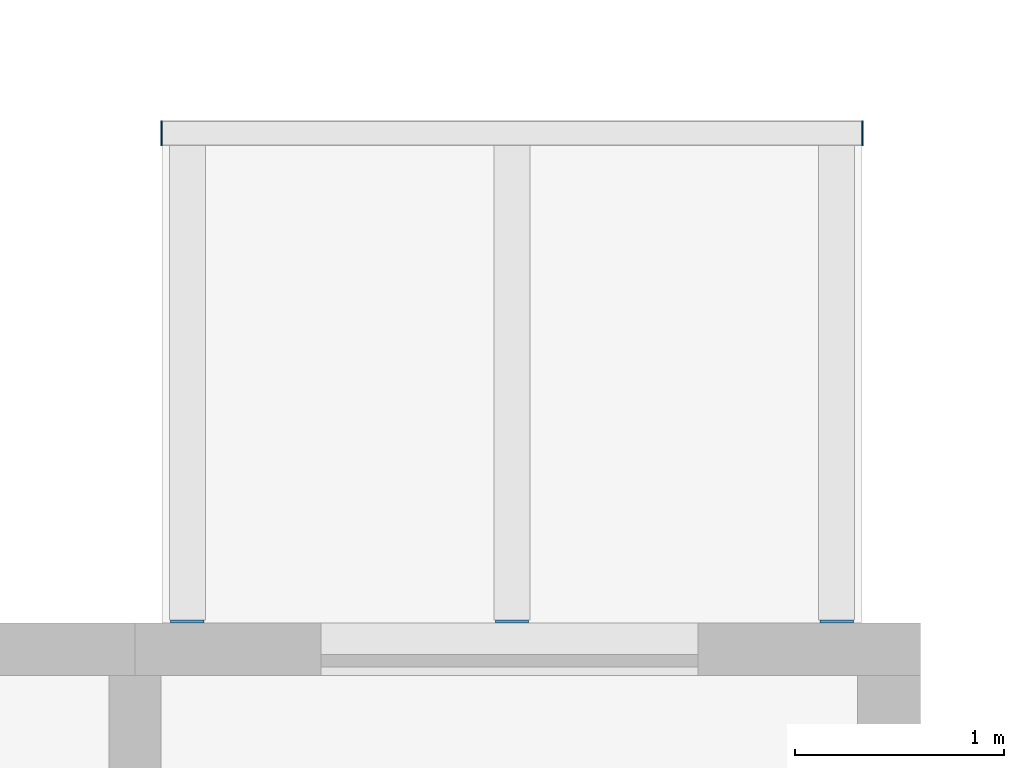
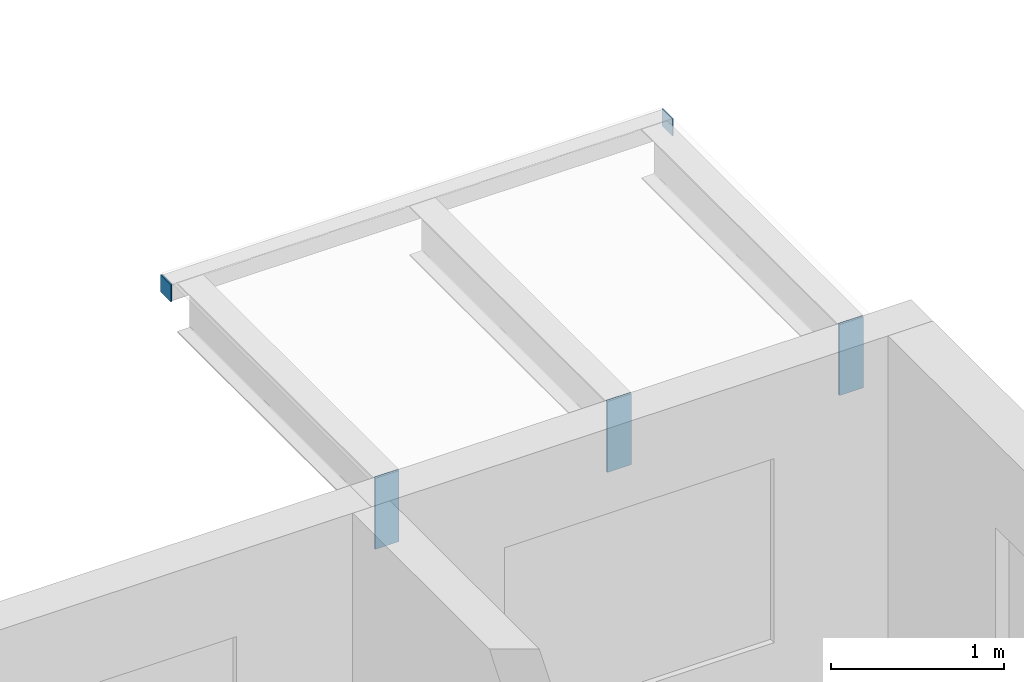
# One storey, part 87 of 115: 5 discrete accessories.
"""IFC4 building model written with IfcOpenShell, lengths in metres."""

from ifc_helpers import new_model, si_unit, direction, frame, origin, origin_2d, place, context, subcontext, project, spatial, rectangle, extrude, material, layer, layer_set, type_object, element, save


model = new_model("IFC4")

# Units and contexts
model_context = context("Model", 3, precision=1e-05, world=origin(), true_north=direction((0.0, 1.0)))
body_context = subcontext(model_context, "Body", "Model", "MODEL_VIEW")
ifc_project = project(units=[si_unit("LENGTHUNIT", "METRE"), si_unit("AREAUNIT", "SQUARE_METRE"), si_unit("VOLUMEUNIT", "CUBIC_METRE"), si_unit("PLANEANGLEUNIT", "RADIAN"), si_unit("MASSUNIT", "GRAM", prefix="KILO")], contexts=[model_context])

# Site, building, storey
site_placement = place(None, origin())
site = spatial("IfcSite", under=ifc_project, at=site_placement, CompositionType="ELEMENT")
building_placement = place(site_placement, origin())
building = spatial("IfcBuilding", under=site, at=building_placement, Name="Ridgestep Commons", CompositionType="ELEMENT")
storey_placement = place(building_placement, frame((0.0, 0.0, 6.0)))
storey = spatial("IfcBuildingStorey", under=building, at=storey_placement, Name="L02", CompositionType="ELEMENT", Elevation=6.0)

# Discrete accessories
ifc_material_1 = material(Name="Weathering steel S355J2W", Category="steel")
ifc_layer_1 = layer(ifc_material_1, 0.014892578125)
ifc_layer_set_1 = layer_set([ifc_layer_1], Name="Tray bracket plate 15")
discrete_accessory_type_1 = type_object("IfcDiscreteAccessoryType", Name="Tray bracket plate 15", PredefinedType="BRACKET", material=ifc_layer_set_1)
for number, where, z_axis, x_axis, name in (
    (1, (244.25, 23.007568359375, 2.488525390625), (0.0, 0.0, 1.0), (1.0, 0.0, 0.0), "Tray bracket D6T1-03.1"),
    (2, (245.800048828125, 23.007568359375, 2.488525390625), (0.0, 0.0, 1.0), (1.0, 0.0, 0.0), "Tray bracket D6T1-03.2"),
    (3, (247.35009765625, 23.007568359375, 2.488525390625), (0.0, 0.0, 1.0), (1.0, 0.0, 0.0), "Tray bracket D6T1-03.3"),
):
    element("IfcDiscreteAccessory", number, at=place(storey_placement, frame(where, z_axis=z_axis, x_axis=x_axis)), inside=storey, type_object=discrete_accessory_type_1, Name=name, PredefinedType="BRACKET", context=body_context, shape_type="SweptSolid", body=[
        extrude(rectangle(XDim=0.159912109375, YDim=0.014892578125, at=origin_2d()), origin(), (0.0, 0.0, 1.0), 0.50146484375),
    ])
ifc_material_2 = material(Name="Weathering steel S355J2W", Category="steel")
ifc_layer_2 = layer(ifc_material_2, 0.008056640625)
ifc_layer_set_2 = layer_set([ifc_layer_2], Name="Tray edge member end plate 120 x 120 x 8")
discrete_accessory_type_2 = type_object("IfcDiscreteAccessoryType", Name="Tray edge member end plate 120 x 120 x 8", PredefinedType="BRACKET", material=ifc_layer_set_2)
for number, where, z_axis, x_axis, name in (
    (4, (244.1259765625, 25.340087890625, 2.869873046875), (0.0, 0.0, 1.0), (1.0, 0.0, 0.0), "Tray edge member end plate D6T1-03 west"),
    (5, (247.47412109375, 25.340087890625, 2.869873046875), (0.0, 0.0, 1.0), (1.0, 0.0, 0.0), "Tray edge member end plate D6T1-03 east"),
):
    element("IfcDiscreteAccessory", number, at=place(storey_placement, frame(where, z_axis=z_axis, x_axis=x_axis)), inside=storey, type_object=discrete_accessory_type_2, Name=name, PredefinedType="BRACKET", context=body_context, shape_type="SweptSolid", body=[
        extrude(rectangle(XDim=0.008056640625, YDim=0.1201171875, at=origin_2d()), origin(), (0.0, 0.0, 1.0), 0.1201171875),
    ])

save(model, "model.ifc")
